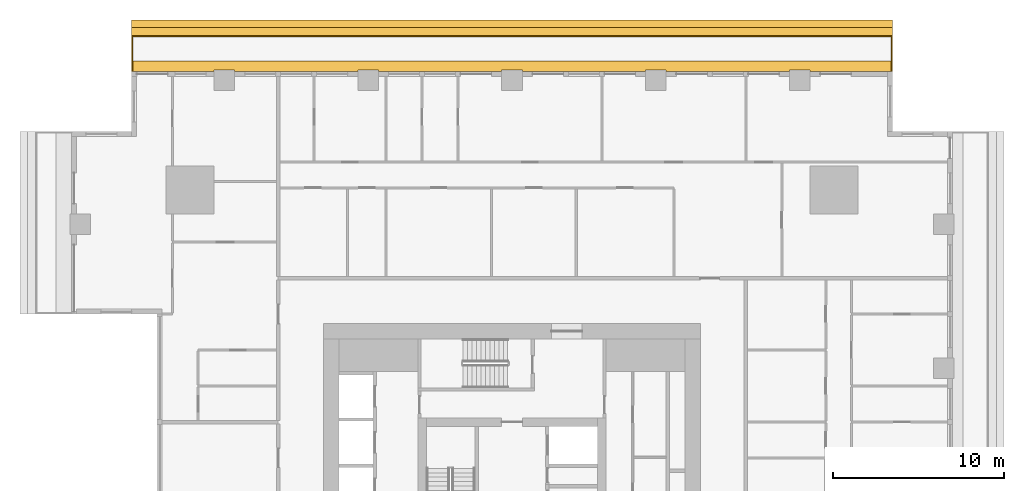
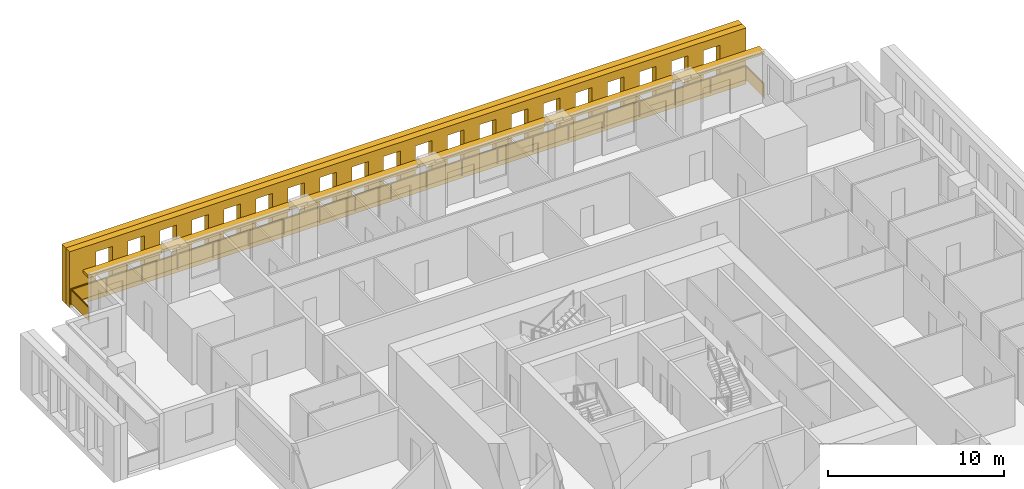
# One storey, part 14 of 14: 3 shading devices, 1 railing.
"""IFC4 building model written with IfcOpenShell, lengths in metres."""

from ifc_helpers import new_model, si_unit, direction, frame, origin, origin_2d, place, context, subcontext, project, spatial, polyline, rectangle, outline, extrude, material, layer, layer_set, type_object, element, save


model = new_model("IFC4")

# Units and contexts
model_context = context("Model", 3, precision=1e-05, world=origin(), true_north=direction((0.0, 1.0)))
body_context = subcontext(model_context, "Body", "Model", "MODEL_VIEW")
ifc_project = project(units=[si_unit("LENGTHUNIT", "METRE"), si_unit("AREAUNIT", "SQUARE_METRE"), si_unit("VOLUMEUNIT", "CUBIC_METRE"), si_unit("PLANEANGLEUNIT", "RADIAN"), si_unit("MASSUNIT", "GRAM", prefix="KILO")], contexts=[model_context])

# Site, building, storey
site_placement = place(None, origin())
site = spatial("IfcSite", under=ifc_project, at=site_placement, CompositionType="ELEMENT")
building_placement = place(site_placement, origin())
building = spatial("IfcBuilding", under=site, at=building_placement, Name="Khepri Terraces", CompositionType="ELEMENT")
storey_placement = place(building_placement, frame((0.0, 0.0, 114.300048828125)))
storey = spatial("IfcBuildingStorey", under=building, at=storey_placement, Name="L27", CompositionType="ELEMENT", Elevation=114.300048828125)

# Railing
ifc_material_1 = material(Name="Stainless steel grade 316", Category="steel")
railing_type = type_object("IfcRailingType", Name="GRD-BAL-1100", PredefinedType="GUARDRAIL", material=ifc_material_1)
railing_placement = place(storey_placement, frame((22.169921875, 25.719970703125, 0.0)))
element("IfcRailing", 1, at=railing_placement, inside=storey, type_object=railing_type, Name="Balcony guard L27 N", PredefinedType="GUARDRAIL", context=body_context, shape_type="SweptSolid", body=[
    extrude(rectangle(XDim=0.050048828125, YDim=0.06005859375, at=origin_2d()), frame((0.0, 0.0, 1.070068359375), z_axis=(0.0, 1.0, 0.0), x_axis=(-1.0, 0.0, 0.0)), (0.0, 0.0, 1.0), 2.050048828125),
    extrude(rectangle(XDim=2.0, YDim=0.011962890625, at=origin_2d()), frame((0.0, 1.02490234375, 0.10009765625), z_axis=(0.0, 0.0, 1.0), x_axis=(0.0, 1.0, 0.0)), (0.0, 0.0, 1.0), 0.93994140625),
    extrude(rectangle(XDim=0.050048828125, YDim=0.06005859375, at=origin_2d()), frame((0.0, 2.050048828125, 1.070068359375), z_axis=(-1.0, 0.0, 0.0), x_axis=(0.0, -1.0, 0.0)), (0.0, 0.0, 1.0), 44.33984375),
    extrude(rectangle(XDim=2.28369140625, YDim=0.011962890625, at=origin_2d()), frame((-1.166748046875, 2.050048828125, 0.10009765625), z_axis=(0.0, 0.0, 1.0), x_axis=(-1.0, 0.0, 0.0)), (0.0, 0.0, 1.0), 0.93994140625),
    extrude(rectangle(XDim=2.28369140625, YDim=0.011962890625, at=origin_2d()), frame((-3.50048828125, 2.050048828125, 0.10009765625), z_axis=(0.0, 0.0, 1.0), x_axis=(-1.0, 0.0, 0.0)), (0.0, 0.0, 1.0), 0.93994140625),
    extrude(rectangle(XDim=2.28369140625, YDim=0.011962890625, at=origin_2d()), frame((-5.834228515625, 2.050048828125, 0.10009765625), z_axis=(0.0, 0.0, 1.0), x_axis=(-1.0, 0.0, 0.0)), (0.0, 0.0, 1.0), 0.93994140625),
    extrude(rectangle(XDim=2.28369140625, YDim=0.011962890625, at=origin_2d()), frame((-8.16796875, 2.050048828125, 0.10009765625), z_axis=(0.0, 0.0, 1.0), x_axis=(-1.0, 0.0, 0.0)), (0.0, 0.0, 1.0), 0.93994140625),
    extrude(rectangle(XDim=2.28369140625, YDim=0.011962890625, at=origin_2d()), frame((-10.50146484375, 2.050048828125, 0.10009765625), z_axis=(0.0, 0.0, 1.0), x_axis=(-1.0, 0.0, 0.0)), (0.0, 0.0, 1.0), 0.93994140625),
    extrude(rectangle(XDim=2.28369140625, YDim=0.011962890625, at=origin_2d()), frame((-12.835205078125, 2.050048828125, 0.10009765625), z_axis=(0.0, 0.0, 1.0), x_axis=(-1.0, 0.0, 0.0)), (0.0, 0.0, 1.0), 0.93994140625),
    extrude(rectangle(XDim=2.28369140625, YDim=0.011962890625, at=origin_2d()), frame((-15.1689453125, 2.050048828125, 0.10009765625), z_axis=(0.0, 0.0, 1.0), x_axis=(-1.0, 0.0, 0.0)), (0.0, 0.0, 1.0), 0.93994140625),
    extrude(rectangle(XDim=2.28369140625, YDim=0.011962890625, at=origin_2d()), frame((-17.502685546875, 2.050048828125, 0.10009765625), z_axis=(0.0, 0.0, 1.0), x_axis=(-1.0, 0.0, 0.0)), (0.0, 0.0, 1.0), 0.93994140625),
    extrude(rectangle(XDim=2.28369140625, YDim=0.011962890625, at=origin_2d()), frame((-19.836181640625, 2.050048828125, 0.10009765625), z_axis=(0.0, 0.0, 1.0), x_axis=(-1.0, 0.0, 0.0)), (0.0, 0.0, 1.0), 0.93994140625),
    extrude(rectangle(XDim=2.28369140625, YDim=0.011962890625, at=origin_2d()), frame((-22.169921875, 2.050048828125, 0.10009765625), z_axis=(0.0, 0.0, 1.0), x_axis=(-1.0, 0.0, 0.0)), (0.0, 0.0, 1.0), 0.93994140625),
    extrude(rectangle(XDim=2.28369140625, YDim=0.011962890625, at=origin_2d()), frame((-24.503662109375, 2.050048828125, 0.10009765625), z_axis=(0.0, 0.0, 1.0), x_axis=(-1.0, 0.0, 0.0)), (0.0, 0.0, 1.0), 0.93994140625),
    extrude(rectangle(XDim=2.28369140625, YDim=0.011962890625, at=origin_2d()), frame((-26.837158203125, 2.050048828125, 0.10009765625), z_axis=(0.0, 0.0, 1.0), x_axis=(-1.0, 0.0, 0.0)), (0.0, 0.0, 1.0), 0.93994140625),
    extrude(rectangle(XDim=2.28369140625, YDim=0.011962890625, at=origin_2d()), frame((-29.1708984375, 2.050048828125, 0.10009765625), z_axis=(0.0, 0.0, 1.0), x_axis=(-1.0, 0.0, 0.0)), (0.0, 0.0, 1.0), 0.93994140625),
    extrude(rectangle(XDim=2.28369140625, YDim=0.011962890625, at=origin_2d()), frame((-31.504638671875, 2.050048828125, 0.10009765625), z_axis=(0.0, 0.0, 1.0), x_axis=(-1.0, 0.0, 0.0)), (0.0, 0.0, 1.0), 0.93994140625),
    extrude(rectangle(XDim=2.28369140625, YDim=0.011962890625, at=origin_2d()), frame((-33.83837890625, 2.050048828125, 0.10009765625), z_axis=(0.0, 0.0, 1.0), x_axis=(-1.0, 0.0, 0.0)), (0.0, 0.0, 1.0), 0.93994140625),
    extrude(rectangle(XDim=2.28369140625, YDim=0.011962890625, at=origin_2d()), frame((-36.171875, 2.050048828125, 0.10009765625), z_axis=(0.0, 0.0, 1.0), x_axis=(-1.0, 0.0, 0.0)), (0.0, 0.0, 1.0), 0.93994140625),
    extrude(rectangle(XDim=2.28369140625, YDim=0.011962890625, at=origin_2d()), frame((-38.505615234375, 2.050048828125, 0.10009765625), z_axis=(0.0, 0.0, 1.0), x_axis=(-1.0, 0.0, 0.0)), (0.0, 0.0, 1.0), 0.93994140625),
    extrude(rectangle(XDim=2.28369140625, YDim=0.011962890625, at=origin_2d()), frame((-40.83935546875, 2.050048828125, 0.10009765625), z_axis=(0.0, 0.0, 1.0), x_axis=(-1.0, 0.0, 0.0)), (0.0, 0.0, 1.0), 0.93994140625),
    extrude(rectangle(XDim=2.28369140625, YDim=0.011962890625, at=origin_2d()), frame((-43.173095703125, 2.050048828125, 0.10009765625), z_axis=(0.0, 0.0, 1.0), x_axis=(-1.0, 0.0, 0.0)), (0.0, 0.0, 1.0), 0.93994140625),
    extrude(rectangle(XDim=0.050048828125, YDim=0.06005859375, at=origin_2d()), frame((-44.33984375, 2.050048828125, 1.070068359375), z_axis=(0.0, -1.0, 0.0), x_axis=(1.0, 0.0, 0.0)), (0.0, 0.0, 1.0), 2.050048828125),
    extrude(rectangle(XDim=2.0, YDim=0.011962890625, at=origin_2d()), frame((-44.33984375, 1.02490234375, 0.10009765625), z_axis=(0.0, 0.0, 1.0), x_axis=(0.0, -1.0, 0.0)), (0.0, 0.0, 1.0), 0.93994140625),
    extrude(rectangle(XDim=0.050048828125, YDim=0.050048828125, at=origin_2d()), origin(), (0.0, 0.0, 1.0), 1.0400390625),
    extrude(rectangle(XDim=0.050048828125, YDim=0.050048828125, at=origin_2d()), frame((0.0, 2.050048828125, 0.0)), (0.0, 0.0, 1.0), 1.0400390625),
    extrude(rectangle(XDim=0.050048828125, YDim=0.050048828125, at=origin_2d()), frame((-2.333740234375, 2.050048828125, 0.0)), (0.0, 0.0, 1.0), 1.0400390625),
    extrude(rectangle(XDim=0.050048828125, YDim=0.050048828125, at=origin_2d()), frame((-4.667236328125, 2.050048828125, 0.0)), (0.0, 0.0, 1.0), 1.0400390625),
    extrude(rectangle(XDim=0.050048828125, YDim=0.050048828125, at=origin_2d()), frame((-7.0009765625, 2.050048828125, 0.0)), (0.0, 0.0, 1.0), 1.0400390625),
    extrude(rectangle(XDim=0.050048828125, YDim=0.050048828125, at=origin_2d()), frame((-9.334716796875, 2.050048828125, 0.0)), (0.0, 0.0, 1.0), 1.0400390625),
    extrude(rectangle(XDim=0.050048828125, YDim=0.050048828125, at=origin_2d()), frame((-11.66845703125, 2.050048828125, 0.0)), (0.0, 0.0, 1.0), 1.0400390625),
    extrude(rectangle(XDim=0.050048828125, YDim=0.050048828125, at=origin_2d()), frame((-14.001953125, 2.050048828125, 0.0)), (0.0, 0.0, 1.0), 1.0400390625),
    extrude(rectangle(XDim=0.050048828125, YDim=0.050048828125, at=origin_2d()), frame((-16.335693359375, 2.050048828125, 0.0)), (0.0, 0.0, 1.0), 1.0400390625),
    extrude(rectangle(XDim=0.050048828125, YDim=0.050048828125, at=origin_2d()), frame((-18.66943359375, 2.050048828125, 0.0)), (0.0, 0.0, 1.0), 1.0400390625),
    extrude(rectangle(XDim=0.050048828125, YDim=0.050048828125, at=origin_2d()), frame((-21.003173828125, 2.050048828125, 0.0)), (0.0, 0.0, 1.0), 1.0400390625),
    extrude(rectangle(XDim=0.050048828125, YDim=0.050048828125, at=origin_2d()), frame((-23.336669921875, 2.050048828125, 0.0)), (0.0, 0.0, 1.0), 1.0400390625),
    extrude(rectangle(XDim=0.050048828125, YDim=0.050048828125, at=origin_2d()), frame((-25.67041015625, 2.050048828125, 0.0)), (0.0, 0.0, 1.0), 1.0400390625),
    extrude(rectangle(XDim=0.050048828125, YDim=0.050048828125, at=origin_2d()), frame((-28.004150390625, 2.050048828125, 0.0)), (0.0, 0.0, 1.0), 1.0400390625),
    extrude(rectangle(XDim=0.050048828125, YDim=0.050048828125, at=origin_2d()), frame((-30.337890625, 2.050048828125, 0.0)), (0.0, 0.0, 1.0), 1.0400390625),
    extrude(rectangle(XDim=0.050048828125, YDim=0.050048828125, at=origin_2d()), frame((-32.67138671875, 2.050048828125, 0.0)), (0.0, 0.0, 1.0), 1.0400390625),
    extrude(rectangle(XDim=0.050048828125, YDim=0.050048828125, at=origin_2d()), frame((-35.005126953125, 2.050048828125, 0.0)), (0.0, 0.0, 1.0), 1.0400390625),
    extrude(rectangle(XDim=0.050048828125, YDim=0.050048828125, at=origin_2d()), frame((-37.3388671875, 2.050048828125, 0.0)), (0.0, 0.0, 1.0), 1.0400390625),
    extrude(rectangle(XDim=0.050048828125, YDim=0.050048828125, at=origin_2d()), frame((-39.672607421875, 2.050048828125, 0.0)), (0.0, 0.0, 1.0), 1.0400390625),
    extrude(rectangle(XDim=0.050048828125, YDim=0.050048828125, at=origin_2d()), frame((-42.006103515625, 2.050048828125, 0.0)), (0.0, 0.0, 1.0), 1.0400390625),
    extrude(rectangle(XDim=0.050048828125, YDim=0.050048828125, at=origin_2d()), frame((-44.33984375, 2.050048828125, 0.0)), (0.0, 0.0, 1.0), 1.0400390625),
    extrude(rectangle(XDim=0.050048828125, YDim=0.050048828125, at=origin_2d()), frame((-44.33984375, 0.0, 0.0)), (0.0, 0.0, 1.0), 1.0400390625),
])

# Shading devices
ifc_material_2 = material(Name="Precast concrete C50/60 warm stone", Category="masonry")
shading_device_type_1 = type_object("IfcShadingDeviceType", Name="SCR-CELL-INNER-450", PredefinedType="USERDEFINED", material=ifc_material_2)
shading_device_1_placement = place(storey_placement, frame((22.219970703125, 27.820068359375, -0.25), z_axis=(0.0, 1.0, 0.0), x_axis=(-1.0, 0.0, 0.0)))
element("IfcShadingDevice", 2, at=shading_device_1_placement, inside=storey, type_object=shading_device_type_1, Name="Cell screen L27 N in", ObjectType="SCREEN", PredefinedType="USERDEFINED", context=body_context, shape_type="SweptSolid", body=[
    extrude(outline(polyline([(0.0, 0.0), (44.43994140625, 0.0), (44.43994140625, 3.89990234375), (0.0, 3.89990234375), (0.0, 0.0)]), holes=[polyline([(1.7265625, 0.699951171875), (2.8134765625, 0.699951171875), (2.8134765625, 3.300048828125), (1.7265625, 3.300048828125), (1.7265625, 0.699951171875)]), polyline([(3.82666015625, 0.699951171875), (4.913330078125, 0.699951171875), (4.913330078125, 3.300048828125), (3.82666015625, 3.300048828125), (3.82666015625, 0.699951171875)]), polyline([(5.926513671875, 0.699951171875), (7.013427734375, 0.699951171875), (7.013427734375, 3.300048828125), (5.926513671875, 3.300048828125), (5.926513671875, 0.699951171875)]), polyline([(8.026611328125, 0.699951171875), (9.11328125, 0.699951171875), (9.11328125, 3.300048828125), (8.026611328125, 3.300048828125), (8.026611328125, 0.699951171875)]), polyline([(10.126708984375, 0.699951171875), (11.21337890625, 0.699951171875), (11.21337890625, 3.300048828125), (10.126708984375, 3.300048828125), (10.126708984375, 0.699951171875)]), polyline([(12.2265625, 0.699951171875), (13.3134765625, 0.699951171875), (13.3134765625, 3.300048828125), (12.2265625, 3.300048828125), (12.2265625, 0.699951171875)]), polyline([(14.32666015625, 0.699951171875), (15.413330078125, 0.699951171875), (15.413330078125, 3.300048828125), (14.32666015625, 3.300048828125), (14.32666015625, 0.699951171875)]), polyline([(16.426513671875, 0.699951171875), (17.513427734375, 0.699951171875), (17.513427734375, 3.300048828125), (16.426513671875, 3.300048828125), (16.426513671875, 0.699951171875)]), polyline([(18.526611328125, 0.699951171875), (19.61328125, 0.699951171875), (19.61328125, 3.300048828125), (18.526611328125, 3.300048828125), (18.526611328125, 0.699951171875)]), polyline([(20.626708984375, 0.699951171875), (21.71337890625, 0.699951171875), (21.71337890625, 3.300048828125), (20.626708984375, 3.300048828125), (20.626708984375, 0.699951171875)]), polyline([(22.7265625, 0.699951171875), (23.8134765625, 0.699951171875), (23.8134765625, 3.300048828125), (22.7265625, 3.300048828125), (22.7265625, 0.699951171875)]), polyline([(24.82666015625, 0.699951171875), (25.913330078125, 0.699951171875), (25.913330078125, 3.300048828125), (24.82666015625, 3.300048828125), (24.82666015625, 0.699951171875)]), polyline([(26.926513671875, 0.699951171875), (28.013427734375, 0.699951171875), (28.013427734375, 3.300048828125), (26.926513671875, 3.300048828125), (26.926513671875, 0.699951171875)]), polyline([(29.026611328125, 0.699951171875), (30.11328125, 0.699951171875), (30.11328125, 3.300048828125), (29.026611328125, 3.300048828125), (29.026611328125, 0.699951171875)]), polyline([(31.126708984375, 0.699951171875), (32.21337890625, 0.699951171875), (32.21337890625, 3.300048828125), (31.126708984375, 3.300048828125), (31.126708984375, 0.699951171875)]), polyline([(33.2265625, 0.699951171875), (34.3134765625, 0.699951171875), (34.3134765625, 3.300048828125), (33.2265625, 3.300048828125), (33.2265625, 0.699951171875)]), polyline([(35.32666015625, 0.699951171875), (36.413330078125, 0.699951171875), (36.413330078125, 3.300048828125), (35.32666015625, 3.300048828125), (35.32666015625, 0.699951171875)]), polyline([(37.426513671875, 0.699951171875), (38.513427734375, 0.699951171875), (38.513427734375, 3.300048828125), (37.426513671875, 3.300048828125), (37.426513671875, 0.699951171875)]), polyline([(39.526611328125, 0.699951171875), (40.61328125, 0.699951171875), (40.61328125, 3.300048828125), (39.526611328125, 3.300048828125), (39.526611328125, 0.699951171875)]), polyline([(41.626708984375, 0.699951171875), (42.71337890625, 0.699951171875), (42.71337890625, 3.300048828125), (41.626708984375, 3.300048828125), (41.626708984375, 0.699951171875)])]), origin(), (0.0, 0.0, 1.0), 0.449951171875),
])
shading_device_type_2 = type_object("IfcShadingDeviceType", Name="SCR-CELL-OUTER-450", PredefinedType="USERDEFINED", material=ifc_material_2)
shading_device_2_placement = place(storey_placement, frame((22.219970703125, 28.27001953125, -0.25), z_axis=(0.0, 1.0, 0.0), x_axis=(-1.0, 0.0, 0.0)))
element("IfcShadingDevice", 3, at=shading_device_2_placement, inside=storey, type_object=shading_device_type_2, Name="Cell screen L27 N out", ObjectType="SCREEN", PredefinedType="USERDEFINED", context=body_context, shape_type="SweptSolid", body=[
    extrude(outline(polyline([(0.0, 0.0), (44.43994140625, 0.0), (44.43994140625, 3.89990234375), (0.0, 3.89990234375), (0.0, 0.0)]), holes=[polyline([(1.376708984375, 0.449951171875), (3.163330078125, 0.449951171875), (3.163330078125, 3.550048828125), (1.376708984375, 3.550048828125), (1.376708984375, 0.449951171875)]), polyline([(3.4765625, 0.449951171875), (5.263427734375, 0.449951171875), (5.263427734375, 3.550048828125), (3.4765625, 3.550048828125), (3.4765625, 0.449951171875)]), polyline([(5.57666015625, 0.449951171875), (7.36328125, 0.449951171875), (7.36328125, 3.550048828125), (5.57666015625, 3.550048828125), (5.57666015625, 0.449951171875)]), polyline([(7.676513671875, 0.449951171875), (9.46337890625, 0.449951171875), (9.46337890625, 3.550048828125), (7.676513671875, 3.550048828125), (7.676513671875, 0.449951171875)]), polyline([(9.776611328125, 0.449951171875), (11.5634765625, 0.449951171875), (11.5634765625, 3.550048828125), (9.776611328125, 3.550048828125), (9.776611328125, 0.449951171875)]), polyline([(11.876708984375, 0.449951171875), (13.663330078125, 0.449951171875), (13.663330078125, 3.550048828125), (11.876708984375, 3.550048828125), (11.876708984375, 0.449951171875)]), polyline([(13.9765625, 0.449951171875), (15.763427734375, 0.449951171875), (15.763427734375, 3.550048828125), (13.9765625, 3.550048828125), (13.9765625, 0.449951171875)]), polyline([(16.07666015625, 0.449951171875), (17.86328125, 0.449951171875), (17.86328125, 3.550048828125), (16.07666015625, 3.550048828125), (16.07666015625, 0.449951171875)]), polyline([(18.176513671875, 0.449951171875), (19.96337890625, 0.449951171875), (19.96337890625, 3.550048828125), (18.176513671875, 3.550048828125), (18.176513671875, 0.449951171875)]), polyline([(20.276611328125, 0.449951171875), (22.0634765625, 0.449951171875), (22.0634765625, 3.550048828125), (20.276611328125, 3.550048828125), (20.276611328125, 0.449951171875)]), polyline([(22.376708984375, 0.449951171875), (24.163330078125, 0.449951171875), (24.163330078125, 3.550048828125), (22.376708984375, 3.550048828125), (22.376708984375, 0.449951171875)]), polyline([(24.4765625, 0.449951171875), (26.263427734375, 0.449951171875), (26.263427734375, 3.550048828125), (24.4765625, 3.550048828125), (24.4765625, 0.449951171875)]), polyline([(26.57666015625, 0.449951171875), (28.36328125, 0.449951171875), (28.36328125, 3.550048828125), (26.57666015625, 3.550048828125), (26.57666015625, 0.449951171875)]), polyline([(28.676513671875, 0.449951171875), (30.46337890625, 0.449951171875), (30.46337890625, 3.550048828125), (28.676513671875, 3.550048828125), (28.676513671875, 0.449951171875)]), polyline([(30.776611328125, 0.449951171875), (32.5634765625, 0.449951171875), (32.5634765625, 3.550048828125), (30.776611328125, 3.550048828125), (30.776611328125, 0.449951171875)]), polyline([(32.876708984375, 0.449951171875), (34.663330078125, 0.449951171875), (34.663330078125, 3.550048828125), (32.876708984375, 3.550048828125), (32.876708984375, 0.449951171875)]), polyline([(34.9765625, 0.449951171875), (36.763427734375, 0.449951171875), (36.763427734375, 3.550048828125), (34.9765625, 3.550048828125), (34.9765625, 0.449951171875)]), polyline([(37.07666015625, 0.449951171875), (38.86328125, 0.449951171875), (38.86328125, 3.550048828125), (37.07666015625, 3.550048828125), (37.07666015625, 0.449951171875)]), polyline([(39.176513671875, 0.449951171875), (40.96337890625, 0.449951171875), (40.96337890625, 3.550048828125), (39.176513671875, 3.550048828125), (39.176513671875, 0.449951171875)]), polyline([(41.276611328125, 0.449951171875), (43.0634765625, 0.449951171875), (43.0634765625, 3.550048828125), (41.276611328125, 3.550048828125), (41.276611328125, 0.449951171875)])]), origin(), (0.0, 0.0, 1.0), 0.449951171875),
])
ifc_layer = layer(ifc_material_2, 0.199951171875, Name="Precast concrete C50/60 warm stone", Category="masonry")
ifc_layer_set = layer_set([ifc_layer], Name="Precast concrete C50/60 warm stone")
shading_device_type_3 = type_object("IfcShadingDeviceType", Name="SSH-BAND-STONE-200-N", PredefinedType="USERDEFINED", material=ifc_layer_set)
shading_device_3_placement = place(storey_placement, frame((0.0, 0.0, 3.099853515625)))
element("IfcShadingDevice", 4, at=shading_device_3_placement, inside=storey, type_object=shading_device_type_3, Name="Sunshade band L27 N", ObjectType="SUNSHADE", PredefinedType="USERDEFINED", context=body_context, shape_type="SweptSolid", body=[
    extrude(outline(polyline([(17.39990234375, 25.719970703125), (22.219970703125, 25.719970703125), (22.219970703125, 26.320068359375), (-22.219970703125, 26.320068359375), (-22.219970703125, 25.719970703125), (-17.39990234375, 25.719970703125), (-17.39990234375, 25.800048828125), (-16.199951171875, 25.800048828125), (-16.199951171875, 25.719970703125), (-9.0, 25.719970703125), (-9.0, 25.800048828125), (-7.800048828125, 25.800048828125), (-7.800048828125, 25.719970703125), (-0.60009765625, 25.719970703125), (-0.60009765625, 25.800048828125), (0.60009765625, 25.800048828125), (0.60009765625, 25.719970703125), (7.800048828125, 25.719970703125), (7.800048828125, 25.800048828125), (9.0, 25.800048828125), (9.0, 25.719970703125), (16.199951171875, 25.719970703125), (16.199951171875, 25.800048828125), (17.39990234375, 25.800048828125), (17.39990234375, 25.719970703125)])), origin(), (0.0, 0.0, 1.0), 0.2001953125),
])

save(model, "model.ifc")
